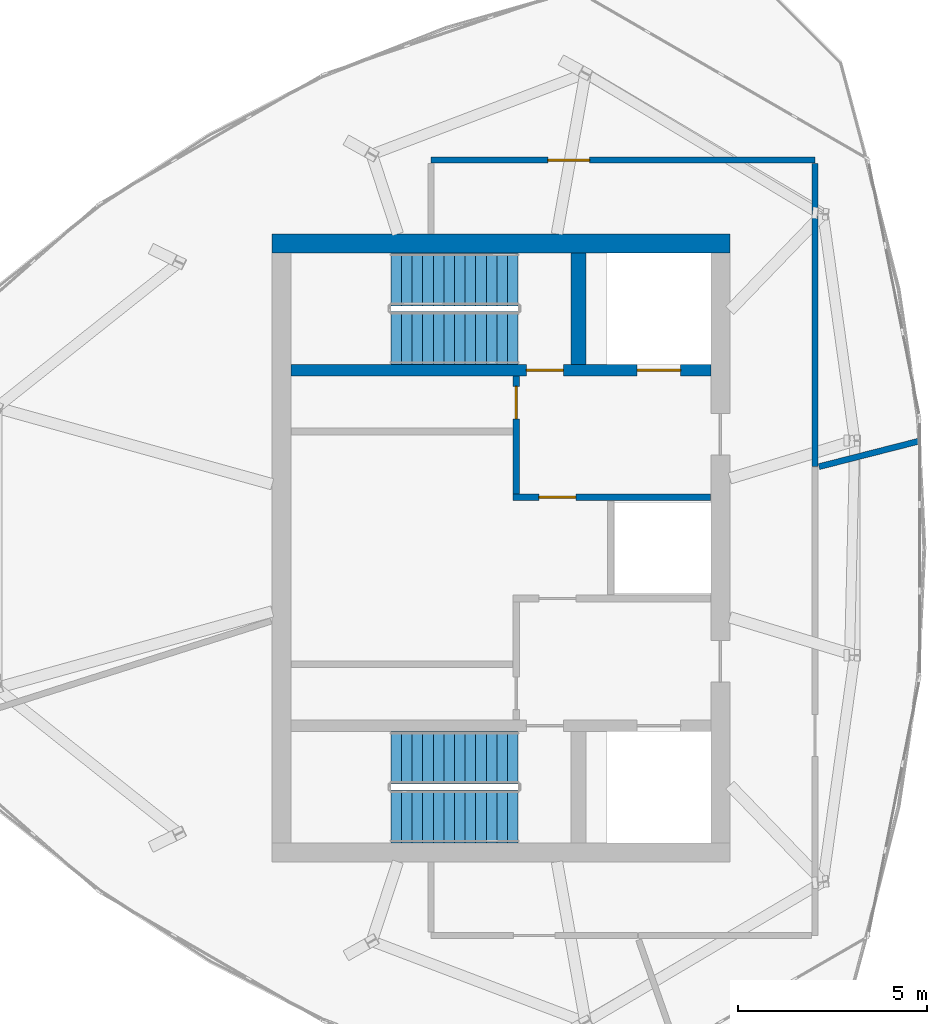
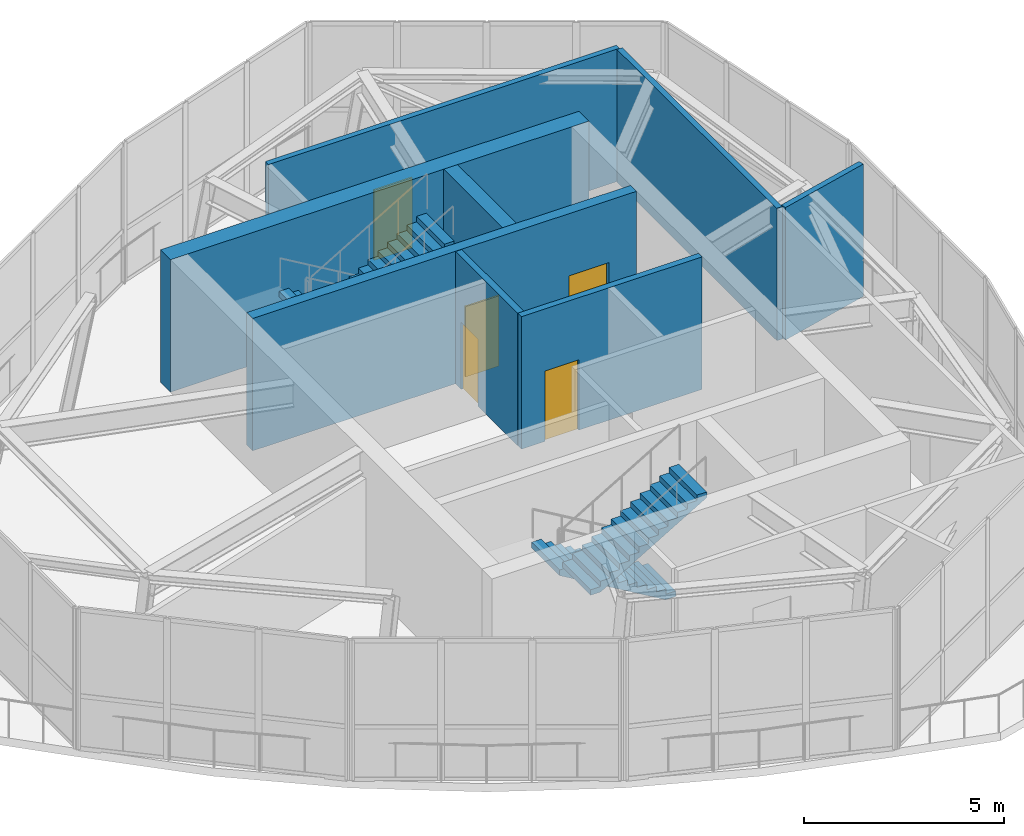
# One storey, part 8 of 11: 8 walls, 5 doors, 4 stair flights, 5 openings, 2 elements without a shape of their own.
"""IFC4 building model written with IfcOpenShell, lengths in metres."""

from ifc_helpers import new_model, si_unit, direction, frame, frame_2d, origin, place, context, subcontext, project, spatial, polyline, rectangle, outline, extrude, source, transform, mapped, material, layer, layer_set, type_object, element, fill, aggregate, save


model = new_model("IFC4")

# Units and contexts
model_context = context("Model", 3, precision=1e-05, world=origin(), true_north=direction((0.0, 1.0)))
body_context = subcontext(model_context, "Body", "Model", "MODEL_VIEW")
ifc_project = project(units=[si_unit("LENGTHUNIT", "METRE"), si_unit("AREAUNIT", "SQUARE_METRE"), si_unit("VOLUMEUNIT", "CUBIC_METRE"), si_unit("PLANEANGLEUNIT", "RADIAN"), si_unit("MASSUNIT", "GRAM", prefix="KILO")], contexts=[model_context])

# Site, building, storey
site_placement = place(None, origin())
site = spatial("IfcSite", under=ifc_project, at=site_placement, CompositionType="ELEMENT")
building_placement = place(site_placement, origin())
building = spatial("IfcBuilding", under=site, at=building_placement, Name="Qafzar Sky-Pleat Residences", CompositionType="ELEMENT")
storey_placement = place(building_placement, frame((0.0, 0.0, 257.5)))
storey = spatial("IfcBuildingStorey", under=building, at=storey_placement, Name="L77 Crown", CompositionType="ELEMENT", Elevation=257.5)

# Wall, opening, door
ifc_material_1 = material(Name="Acoustic gypsum plasterboard partition", Category="gypsum")
ifc_layer_1 = layer(ifc_material_1, 0.159912109375)
ifc_layer_set_1 = layer_set([ifc_layer_1], Name="Acoustic gypsum plasterboard partition")
wall_type_1 = type_object("IfcWallType", Name="PART-COR-160", PredefinedType="PARTITIONING", material=ifc_layer_set_1)
wall_1_placement = place(storey_placement, frame((38.64990234375, 36.25, 0.0), z_axis=(0.0, 0.0, 1.0), x_axis=(-1.0, 0.0, 0.0)))
wall_1 = element("IfcWall", 1, at=wall_1_placement, inside=storey, type_object=wall_type_1, Name="L77 Crown Partition Wall PART-L77_Crown-PW-002", PredefinedType="PARTITIONING", context=body_context, shape_type="SweptSolid", body=[
    extrude(rectangle(XDim=10.14990234375, YDim=0.159912109375, at=frame_2d((5.074951171875, 0.0))), origin(), (0.0, 0.0, 1.0), 4.050048828125),
])
opening_1_placement = place(wall_1_placement, frame((5.9599609375, 0.0, 0.0)))
opening_1 = element("IfcOpeningElement", 2, at=opening_1_placement, cuts=wall_1, Name="Opening ID-02", PredefinedType="OPENING", context=body_context, shape_type="SweptSolid", body=[
    extrude(rectangle(XDim=1.10009765625, YDim=2.14990234375, at=frame_2d((0.550048828125, 1.074951171875))), frame((0.0, 0.08984375, 0.0), z_axis=(0.0, -1.0, 0.0), x_axis=(1.0, 0.0, 0.0)), (0.0, 0.0, 1.0), 0.179931640625),
])
ifc_material_2 = material(Name="Timber-faced fire door", Category="wood")
door_type_1 = type_object("IfcDoorType", Name="DR-FFL-1100", OperationType="NOTDEFINED", PredefinedType="DOOR", material=ifc_material_2)
shared_shape_1 = source(origin(), body_context, "Body", "SweptSolid", [
    extrude(rectangle(XDim=1.10009765625, YDim=2.14990234375, at=frame_2d((0.550048828125, 1.074951171875))), frame((0.0, 0.02490234375, 0.0), z_axis=(0.0, -1.0, 0.0), x_axis=(1.0, 0.0, 0.0)), (0.0, 0.0, 1.0), 0.050048828125),
])
door_1_placement = place(opening_1_placement, origin())
door_1 = element("IfcDoor", 3, at=door_1_placement, inside=storey, type_object=door_type_1, Name="L77 Crown Crown Faceted Curtain-Wall Maintenance Plant Room Door", OperationType="SINGLE_SWING_RIGHT", OverallHeight=2.14990234375, OverallWidth=1.10009765625, PredefinedType="DOOR", context=body_context, shape_type="MappedRepresentation", body=[
    mapped(shared_shape_1, transform((0.0, 0.0, 0.0), x_axis=(1.0, 0.0, 0.0), y_axis=(0.0, 1.0, 0.0), z_axis=(0.0, 0.0, 1.0), scale=1.0)),
])
fill(opening_1, door_1)

# Walls
wall_2_placement = place(storey_placement, frame((38.64990234375, 28.14990234375, 0.0), z_axis=(0.0, 0.0, 1.0), x_axis=(0.0, 1.0, 0.0)))
element("IfcWall", 4, at=wall_2_placement, inside=storey, type_object=wall_type_1, Name="L77 Crown Partition Wall PART-L77_Crown-PW-005", PredefinedType="PARTITIONING", context=body_context, shape_type="SweptSolid", body=[
    extrude(rectangle(XDim=8.01220703125, YDim=0.159912109375, at=frame_2d((4.006103515625, 0.0))), origin(), (0.0, 0.0, 1.0), 4.050048828125),
])
wall_3_placement = place(storey_placement, frame((38.757568359375, 28.146484375, 0.0), z_axis=(0.0, 0.0, 1.0), x_axis=(0.96888022142, 0.247530031594, 0.0)))
element("IfcWall", 5, at=wall_3_placement, inside=storey, type_object=wall_type_1, Name="L77 Crown Partition Wall PART-L77_Crown-PW-008", PredefinedType="PARTITIONING", context=body_context, shape_type="SweptSolid", body=[
    extrude(rectangle(XDim=2.72412109375, YDim=0.159912109375, at=frame_2d((1.362060546875, 0.0))), origin(), (0.0, 0.0, 1.0), 4.050048828125),
])

# Wall, opening, door
ifc_material_3 = material(Name="Concrete blockwork partition", Category="masonry")
ifc_layer_2 = layer(ifc_material_3, 0.179931640625)
ifc_layer_set_2 = layer_set([ifc_layer_2], Name="Concrete blockwork partition")
wall_type_2 = type_object("IfcWallType", Name="PART-SHAFT-180", PredefinedType="PARTITIONING", material=ifc_layer_set_2)
wall_4_placement = place(storey_placement, frame((30.75, 27.429931640625, 0.0), z_axis=(0.0, 0.0, 1.0), x_axis=(0.0, 1.0, 0.0)))
wall_4 = element("IfcWall", 6, at=wall_4_placement, inside=storey, type_object=wall_type_2, Name="L77 Crown Partition Wall PART-L77_Crown-FFL2-W", PredefinedType="PARTITIONING", context=body_context, shape_type="SweptSolid", body=[
    extrude(rectangle(XDim=3.110107421875, YDim=0.179931640625, at=frame_2d((1.55517578125, 0.0))), origin(), (0.0, 0.0, 1.0), 4.050048828125),
])
opening_2_placement = place(wall_4_placement, frame((1.97998046875, 0.0, 0.0)))
opening_2 = element("IfcOpeningElement", 7, at=opening_2_placement, cuts=wall_4, Name="Opening ID-09", PredefinedType="OPENING", context=body_context, shape_type="SweptSolid", body=[
    extrude(rectangle(XDim=0.860107421875, YDim=2.050048828125, at=frame_2d((0.43017578125, 1.02490234375))), frame((0.0, 0.10009765625, 0.0), z_axis=(0.0, -1.0, 0.0), x_axis=(1.0, 0.0, 0.0)), (0.0, 0.0, 1.0), 0.199951171875),
])
door_type_2 = type_object("IfcDoorType", Name="DR-SVC-860", OperationType="NOTDEFINED", PredefinedType="DOOR", material=ifc_material_2)
shared_shape_2 = source(origin(), body_context, "Body", "SweptSolid", [
    extrude(rectangle(XDim=0.860107421875, YDim=2.050048828125, at=frame_2d((0.43017578125, 1.02490234375))), frame((0.0, 0.02490234375, 0.0), z_axis=(0.0, -1.0, 0.0), x_axis=(1.0, 0.0, 0.0)), (0.0, 0.0, 1.0), 0.050048828125),
])
door_2_placement = place(opening_2_placement, origin())
door_2 = element("IfcDoor", 8, at=door_2_placement, inside=storey, type_object=door_type_2, Name="L77 Crown North Core Cupboard Door", OperationType="SINGLE_SWING_LEFT", OverallHeight=2.050048828125, OverallWidth=0.860107421875, PredefinedType="DOOR", context=body_context, shape_type="MappedRepresentation", body=[
    mapped(shared_shape_2, transform((0.0, 0.0, 0.0), x_axis=(1.0, 0.0, 0.0), y_axis=(0.0, 1.0, 0.0), z_axis=(0.0, 0.0, 1.0), scale=1.0)),
])
fill(opening_2, door_2)

wall_5_placement = place(storey_placement, frame((30.669921875, 27.340087890625, 0.0), z_axis=(0.0, 0.0, 1.0), x_axis=(1.0, 0.0, 0.0)))
wall_5 = element("IfcWall", 9, at=wall_5_placement, inside=storey, type_object=wall_type_2, Name="L77 Crown Partition Wall PART-L77_Crown-FFL2-S", PredefinedType="PARTITIONING", context=body_context, shape_type="SweptSolid", body=[
    extrude(rectangle(XDim=5.219970703125, YDim=0.179931640625, at=frame_2d((2.60986328125, 0.0))), origin(), (0.0, 0.0, 1.0), 4.050048828125),
])
opening_3_placement = place(wall_5_placement, frame((0.679931640625, 0.0, 0.0)))
opening_3 = element("IfcOpeningElement", 10, at=opening_3_placement, cuts=wall_5, Name="Opening ID-01", PredefinedType="OPENING", context=body_context, shape_type="SweptSolid", body=[
    extrude(rectangle(XDim=0.97998046875, YDim=2.14990234375, at=frame_2d((0.489990234375, 1.074951171875))), frame((0.0, 0.10009765625, 0.0), z_axis=(0.0, -1.0, 0.0), x_axis=(1.0, 0.0, 0.0)), (0.0, 0.0, 1.0), 0.199951171875),
])
door_type_3 = type_object("IfcDoorType", Name="DR-STAIR-980", OperationType="NOTDEFINED", PredefinedType="DOOR", material=ifc_material_2)
shared_shape_3 = source(origin(), body_context, "Body", "SweptSolid", [
    extrude(rectangle(XDim=0.97998046875, YDim=2.14990234375, at=frame_2d((0.489990234375, 1.074951171875))), frame((0.0, 0.02490234375, 0.0), z_axis=(0.0, -1.0, 0.0), x_axis=(1.0, 0.0, 0.0)), (0.0, 0.0, 1.0), 0.050048828125),
])
door_3_placement = place(opening_3_placement, origin())
door_3 = element("IfcDoor", 11, at=door_3_placement, inside=storey, type_object=door_type_3, Name="L77 Crown Lift Lobby to North Firefighting Lobby Door", OperationType="SINGLE_SWING_RIGHT", OverallHeight=2.14990234375, OverallWidth=0.97998046875, PredefinedType="DOOR", context=body_context, shape_type="MappedRepresentation", body=[
    mapped(shared_shape_3, transform((0.0, 0.0, 0.0), x_axis=(1.0, 0.0, 0.0), y_axis=(0.0, 1.0, 0.0), z_axis=(0.0, 0.0, 1.0), scale=1.0)),
])
fill(opening_3, door_3)

# Wall, openings, doors
ifc_material_4 = material(Name="Concrete C60/75", Category="concrete")
ifc_layer_3 = layer(ifc_material_4, 0.300048828125)
ifc_layer_set_3 = layer_set([ifc_layer_3], Name="Concrete C60/75")
wall_type_3 = type_object("IfcWallType", Name="WALL-SHEAR-300", PredefinedType="SHEAR", material=ifc_layer_set_3)
wall_6_placement = place(storey_placement, frame((24.800048828125, 30.699951171875, 0.0), z_axis=(0.0, 0.0, 1.0), x_axis=(1.0, 0.0, 0.0)))
wall_6 = element("IfcWall", 12, at=wall_6_placement, inside=storey, type_object=wall_type_3, Name="L77 Crown Stair ST2 and FF2 Shaft South Wall", PredefinedType="SHEAR", context=body_context, shape_type="SweptSolid", body=[
    extrude(rectangle(XDim=11.099853515625, YDim=0.300048828125, at=frame_2d((5.5498046875, 0.0))), origin(), (0.0, 0.0, 1.0), 4.050048828125),
])
opening_4_placement = place(wall_6_placement, frame((6.219970703125, 0.0, 0.0)))
opening_4 = element("IfcOpeningElement", 13, at=opening_4_placement, cuts=wall_6, Name="Opening ID-01", PredefinedType="OPENING", context=body_context, shape_type="SweptSolid", body=[
    extrude(rectangle(XDim=0.97998046875, YDim=2.14990234375, at=frame_2d((0.489990234375, 1.074951171875))), frame((0.0, 0.16015625, 0.0), z_axis=(0.0, -1.0, 0.0), x_axis=(1.0, 0.0, 0.0)), (0.0, 0.0, 1.0), 0.320068359375),
])
opening_5_placement = place(wall_6_placement, frame((9.14990234375, 0.0, 0.0)))
opening_5 = element("IfcOpeningElement", 14, at=opening_5_placement, cuts=wall_6, Name="Opening LD-02", PredefinedType="OPENING", context=body_context, shape_type="SweptSolid", body=[
    extrude(rectangle(XDim=1.14990234375, YDim=2.14990234375, at=frame_2d((0.574951171875, 1.074951171875))), frame((0.0, 0.16015625, 0.0), z_axis=(0.0, -1.0, 0.0), x_axis=(1.0, 0.0, 0.0)), (0.0, 0.0, 1.0), 0.320068359375),
])
door_4_placement = place(opening_4_placement, origin())
door_4 = element("IfcDoor", 15, at=door_4_placement, inside=storey, type_object=door_type_3, Name="L77 Crown Stair ST2 Fire Door", OperationType="SINGLE_SWING_RIGHT", OverallHeight=2.14990234375, OverallWidth=0.97998046875, PredefinedType="DOOR", context=body_context, shape_type="MappedRepresentation", body=[
    mapped(shared_shape_3, transform((0.0, 0.0, 0.0), x_axis=(1.0, 0.0, 0.0), y_axis=(0.0, 1.0, 0.0), z_axis=(0.0, 0.0, 1.0), scale=1.0)),
])
fill(opening_4, door_4)
ifc_material_5 = material(Name="Stainless steel sliding landing door", Category="steel")
door_type_4 = type_object("IfcDoorType", Name="DR-LIFT-FF", OperationType="DOUBLE_DOOR_SLIDING", PredefinedType="DOOR", material=ifc_material_5)
shared_shape_4 = source(origin(), body_context, "Body", "SweptSolid", [
    extrude(rectangle(XDim=1.14990234375, YDim=2.14990234375, at=frame_2d((0.574951171875, 1.074951171875))), frame((0.0, 0.02490234375, 0.0), z_axis=(0.0, -1.0, 0.0), x_axis=(1.0, 0.0, 0.0)), (0.0, 0.0, 1.0), 0.050048828125),
])
door_5_placement = place(opening_5_placement, origin())
door_5 = element("IfcDoor", 16, at=door_5_placement, inside=storey, type_object=door_type_4, Name="L77 Crown Firefighting Lift FF2 Landing Door", OperationType="DOUBLE_DOOR_SLIDING", OverallHeight=2.14990234375, OverallWidth=1.14990234375, PredefinedType="DOOR", context=body_context, shape_type="MappedRepresentation", body=[
    mapped(shared_shape_4, transform((0.0, 0.0, 0.0), x_axis=(1.0, 0.0, 0.0), y_axis=(0.0, 1.0, 0.0), z_axis=(0.0, 0.0, 1.0), scale=1.0)),
])
fill(opening_5, door_5)

# Walls
ifc_layer_4 = layer(ifc_material_4, 0.39990234375)
ifc_layer_set_4 = layer_set([ifc_layer_4], Name="Concrete C60/75")
wall_type_4 = type_object("IfcWallType", Name="WALL-SHEAR-400", PredefinedType="SHEAR", material=ifc_layer_set_4)
wall_7_placement = place(storey_placement, frame((32.39990234375, 30.85009765625, 0.0), z_axis=(0.0, 0.0, 1.0), x_axis=(0.0, 1.0, 0.0)))
element("IfcWall", 17, at=wall_7_placement, inside=storey, type_object=wall_type_4, Name="L77 Crown Stair ST2 East Dividing Wall", PredefinedType="SHEAR", context=body_context, shape_type="SweptSolid", body=[
    extrude(rectangle(XDim=2.949951171875, YDim=0.39990234375, at=frame_2d((1.47509765625, 0.0))), origin(), (0.0, 0.0, 1.0), 4.050048828125),
])
ifc_layer_5 = layer(ifc_material_4, 0.5)
ifc_layer_set_5 = layer_set([ifc_layer_5], Name="Concrete C60/75")
wall_type_5 = type_object("IfcWallType", Name="WALL-SHEAR-500", PredefinedType="SHEAR", material=ifc_layer_set_5)
wall_8_placement = place(storey_placement, frame((36.39990234375, 34.050048828125, 0.0), z_axis=(0.0, 0.0, 1.0), x_axis=(-1.0, 0.0, 0.0)))
element("IfcWall", 18, at=wall_8_placement, inside=storey, type_object=wall_type_5, Name="L77 Crown CORE wall N", PredefinedType="SHEAR", context=body_context, shape_type="SweptSolid", body=[
    extrude(rectangle(XDim=12.099853515625, YDim=0.5, at=frame_2d((6.0498046875, 0.0))), origin(), (0.0, 0.0, 1.0), 4.050048828125),
])

# Stair, stair flights
ifc_material_6 = material(Name="Concrete C40/50", Category="concrete")
stair_type = type_object("IfcStairType", Name="STAIR-H430", PredefinedType="HALF_TURN_STAIR", material=ifc_material_6)
stair_1_placement = place(storey_placement, origin())
stair_1 = element("IfcStair", 19, at=stair_1_placement, inside=storey, type_object=stair_type, Name="L77 Crown Protected Exit Stair ST1", PredefinedType="HALF_TURN_STAIR")
stair_flight_type = type_object("IfcStairFlightType", Name="FLIGHT-H430", PredefinedType="STRAIGHT", material=ifc_material_6)
shared_shape_5 = source(origin(), body_context, "Body", "SweptSolid", [
    extrude(outline(polyline([(0.0, 0.0), (0.0, 0.165283203125), (0.280029296875, 0.165283203125), (0.280029296875, 0.330810546875), (0.56005859375, 0.330810546875), (0.56005859375, 0.49609375), (0.840087890625, 0.49609375), (0.840087890625, 0.66162109375), (1.1201171875, 0.66162109375), (1.1201171875, 0.826904296875), (1.39990234375, 0.826904296875), (1.39990234375, 0.9921875), (1.679931640625, 0.9921875), (1.679931640625, 1.15771484375), (1.9599609375, 1.15771484375), (1.9599609375, 1.322998046875), (2.239990234375, 1.322998046875), (2.239990234375, 1.488525390625), (2.52001953125, 1.488525390625), (2.52001953125, 1.65380859375), (2.800048828125, 1.65380859375), (2.800048828125, 1.8193359375), (3.080078125, 1.8193359375), (3.080078125, 1.984619140625), (3.360107421875, 1.984619140625), (3.360107421875, 2.14990234375), (3.360107421875, 1.810546875), (0.294677734375, 0.0), (0.0, 0.0)])), frame((0.0, 0.699951171875, 0.0), z_axis=(0.0, -1.0, 0.0), x_axis=(1.0, 0.0, 0.0)), (0.0, 0.0, 1.0), 1.39990234375),
])
stair_flight_1_placement = place(storey_placement, frame((30.800048828125, 20.449951171875, 0.0), z_axis=(0.0, 0.0, 1.0), x_axis=(-1.0, 0.0, 0.0)))
stair_flight_1 = element("IfcStairFlight", 20, at=stair_flight_1_placement, type_object=stair_flight_type, Name="ST1 flight 1", NumberOfRisers=13, NumberOfTreads=12, PredefinedType="STRAIGHT", RiserHeight=0.165384615, TreadLength=0.28, context=body_context, shape_type="MappedRepresentation", body=[
    mapped(shared_shape_5, transform((0.0, 0.0, 0.0), x_axis=(1.0, 0.0, 0.0), y_axis=(0.0, 1.0, 0.0), z_axis=(0.0, 0.0, 1.0), scale=1.0)),
])
stair_flight_2_placement = place(storey_placement, frame((27.43994140625, 18.89990234375, 2.14990234375), z_axis=(0.0, 0.0, 1.0), x_axis=(1.0, 0.0, 0.0)))
stair_flight_2 = element("IfcStairFlight", 21, at=stair_flight_2_placement, type_object=stair_flight_type, Name="ST1 flight 2", NumberOfRisers=13, NumberOfTreads=12, PredefinedType="STRAIGHT", RiserHeight=0.165384615, TreadLength=0.28, context=body_context, shape_type="MappedRepresentation", body=[
    mapped(shared_shape_5, transform((0.0, 0.0, 0.0), x_axis=(1.0, 0.0, 0.0), y_axis=(0.0, 1.0, 0.0), z_axis=(0.0, 0.0, 1.0), scale=1.0)),
])
aggregate(stair_1, [stair_flight_1, stair_flight_2])

stair_2_placement = place(storey_placement, origin())
stair_2 = element("IfcStair", 22, at=stair_2_placement, inside=storey, type_object=stair_type, Name="L77 Crown Protected Exit Stair ST2", PredefinedType="HALF_TURN_STAIR")
stair_flight_3_placement = place(storey_placement, frame((30.800048828125, 33.10009765625, 0.0), z_axis=(0.0, 0.0, 1.0), x_axis=(-1.0, 0.0, 0.0)))
stair_flight_3 = element("IfcStairFlight", 23, at=stair_flight_3_placement, type_object=stair_flight_type, Name="ST2 flight 1", NumberOfRisers=13, NumberOfTreads=12, PredefinedType="STRAIGHT", RiserHeight=0.165384615, TreadLength=0.28, context=body_context, shape_type="MappedRepresentation", body=[
    mapped(shared_shape_5, transform((0.0, 0.0, 0.0), x_axis=(1.0, 0.0, 0.0), y_axis=(0.0, 1.0, 0.0), z_axis=(0.0, 0.0, 1.0), scale=1.0)),
])
stair_flight_4_placement = place(storey_placement, frame((27.43994140625, 31.550048828125, 2.14990234375), z_axis=(0.0, 0.0, 1.0), x_axis=(1.0, 0.0, 0.0)))
stair_flight_4 = element("IfcStairFlight", 24, at=stair_flight_4_placement, type_object=stair_flight_type, Name="ST2 flight 2", NumberOfRisers=13, NumberOfTreads=12, PredefinedType="STRAIGHT", RiserHeight=0.165384615, TreadLength=0.28, context=body_context, shape_type="MappedRepresentation", body=[
    mapped(shared_shape_5, transform((0.0, 0.0, 0.0), x_axis=(1.0, 0.0, 0.0), y_axis=(0.0, 1.0, 0.0), z_axis=(0.0, 0.0, 1.0), scale=1.0)),
])
aggregate(stair_2, [stair_flight_3, stair_flight_4])

save(model, "model.ifc")
